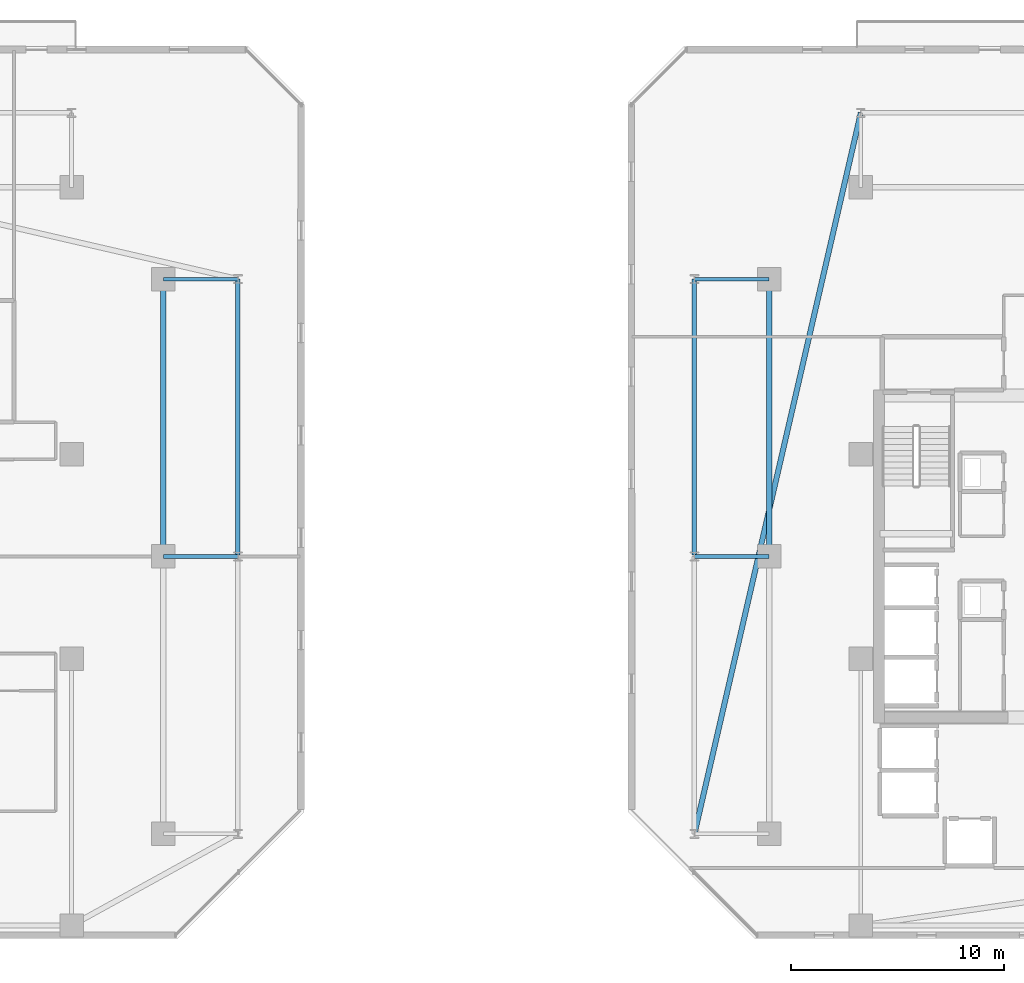
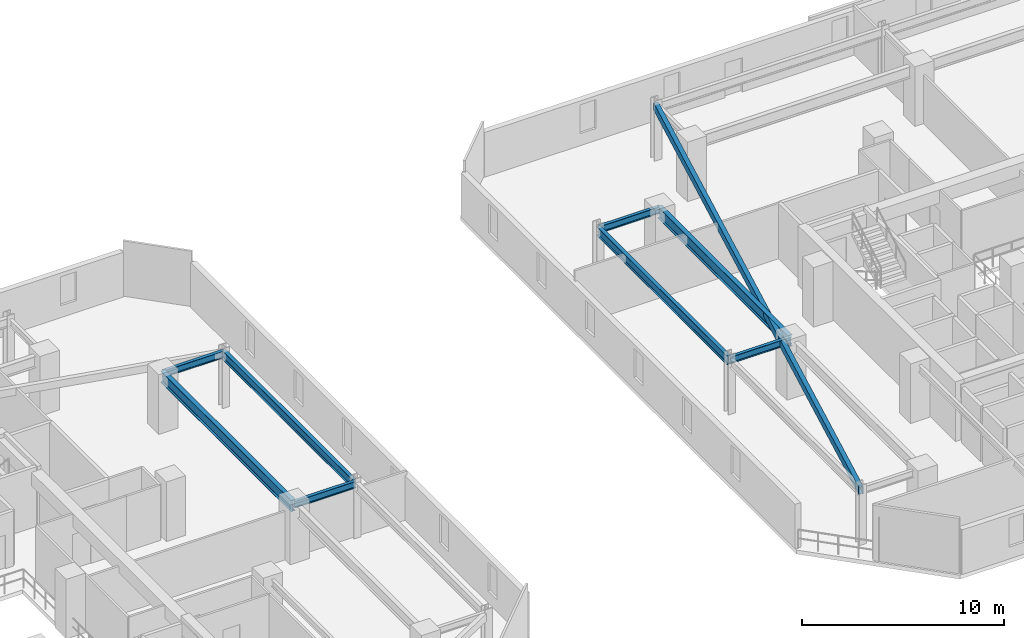
# One storey, part 7 of 32: 9 beams.
"""IFC4 building model written with IfcOpenShell, lengths in metres."""

from ifc_helpers import new_model, si_unit, direction, frame, origin, origin_2d, place, context, subcontext, project, spatial, hollow_rectangle, i_section, extrude, material, material_profile, profile_set, type_object, element, save


model = new_model("IFC4")

# Units and contexts
model_context = context("Model", 3, precision=1e-05, world=origin(), true_north=direction((0.0, 1.0)))
body_context = subcontext(model_context, "Body", "Model", "MODEL_VIEW")
ifc_project = project(units=[si_unit("LENGTHUNIT", "METRE"), si_unit("AREAUNIT", "SQUARE_METRE"), si_unit("VOLUMEUNIT", "CUBIC_METRE"), si_unit("PLANEANGLEUNIT", "RADIAN"), si_unit("MASSUNIT", "GRAM", prefix="KILO")], contexts=[model_context])

# Site, building, storey
site_placement = place(None, origin())
site = spatial("IfcSite", under=ifc_project, at=site_placement, CompositionType="ELEMENT")
building_placement = place(site_placement, origin())
building = spatial("IfcBuilding", under=site, at=building_placement, Name="Thornwick Lancets Civic Towers", CompositionType="ELEMENT")
storey_placement = place(building_placement, frame((0.0, 0.0, 178.5)))
storey = spatial("IfcBuildingStorey", under=building, at=storey_placement, Name="L47", CompositionType="ELEMENT", Elevation=178.5)

# Beams
ifc_material = material(Name="Steel S355JR", Category="steel")
ifc_material_profile_1 = material_profile(ifc_material, i_section(OverallWidth=0.210693359375, OverallDepth=0.53955078125, WebThickness=0.01171875, FlangeThickness=0.018798828125, FilletRadius=0.0126953125, at=origin_2d()), Name="UKB 533x210x109")
ifc_profile_set_1 = profile_set([ifc_material_profile_1], Name="Steel S355JR")
beam_type_1 = type_object("IfcBeamType", Name="BM_EDGE_533_109", PredefinedType="SPANDREL", material=ifc_profile_set_1)
for number, where, z_axis, x_axis, name in (
    (1, (46.300048828125, 27.080078125, 3.09033203125), (0.0, 1.0, 0.0), (-1.0, 0.0, 0.0), "BM-EDGE-L47-A-S1-2"),
    (2, (67.699951171875, 27.080078125, 3.09033203125), (0.0, 1.0, 0.0), (-1.0, 0.0, 0.0), "BM-EDGE-L47-B-S2-2"),
):
    element("IfcBeam", number, at=place(storey_placement, frame(where, z_axis=z_axis, x_axis=x_axis)), inside=storey, type_object=beam_type_1, Name=name, PredefinedType="SPANDREL", context=body_context, shape_type="SweptSolid", body=[
        extrude(i_section(OverallWidth=0.210693359375, OverallDepth=0.53955078125, WebThickness=0.01171875, FlangeThickness=0.018798828125, FilletRadius=0.0126953125, at=origin_2d()), origin(), (0.0, 0.0, 1.0), 12.919921875),
    ])
ifc_material_profile_2 = material_profile(ifc_material, i_section(OverallWidth=0.255859375, OverallDepth=0.69287109375, WebThickness=0.014404296875, FlangeThickness=0.023681640625, FilletRadius=0.01513671875, at=origin_2d()), Name="UKB 686x254x170")
ifc_profile_set_2 = profile_set([ifc_material_profile_2], Name="Steel S355JR")
beam_type_2 = type_object("IfcBeamType", Name="BM_GIRD_686_170", PredefinedType="BEAM", material=ifc_profile_set_2)
for number, where, z_axis, x_axis, name in (
    (3, (42.800048828125, 27.080078125, 3.013671875), (0.0, 1.0, 0.0), (-1.0, 0.0, 0.0), "BM-SPINE-L47-A-4-5"),
    (4, (71.199951171875, 27.080078125, 3.013671875), (0.0, 1.0, 0.0), (-1.0, 0.0, 0.0), "BM-SPINE-L47-B-7-8"),
):
    element("IfcBeam", number, at=place(storey_placement, frame(where, z_axis=z_axis, x_axis=x_axis)), inside=storey, type_object=beam_type_2, Name=name, PredefinedType="BEAM", context=body_context, shape_type="SweptSolid", body=[
        extrude(i_section(OverallWidth=0.255859375, OverallDepth=0.69287109375, WebThickness=0.014404296875, FlangeThickness=0.023681640625, FilletRadius=0.01513671875, at=origin_2d()), origin(), (0.0, 0.0, 1.0), 12.919921875),
    ])
ifc_material_profile_3 = material_profile(ifc_material, i_section(OverallWidth=0.179443359375, OverallDepth=0.412841796875, WebThickness=0.009521484375, FlangeThickness=0.01611328125, FilletRadius=0.01025390625, at=origin_2d()), Name="UKB 406x178x74")
ifc_profile_set_3 = profile_set([ifc_material_profile_3], Name="Steel S355JR")
beam_type_3 = type_object("IfcBeamType", Name="BM_JOIST_406_74", PredefinedType="JOIST", material=ifc_profile_set_3)
for number, where, z_axis, x_axis, name in (
    (5, (42.800048828125, 27.0, 3.153564453125), (1.0, 0.0, 0.0), (0.0, 1.0, 0.0), "BM-RAD-L47-A05"),
    (6, (42.800048828125, 40.0, 3.153564453125), (1.0, 0.0, 0.0), (0.0, 1.0, 0.0), "BM-RAD-L47-A06"),
    (7, (71.199951171875, 27.0, 3.153564453125), (-1.0, 0.0, 0.0), (0.0, -1.0, 0.0), "BM-RAD-L47-B08"),
    (8, (71.199951171875, 40.0, 3.153564453125), (-1.0, 0.0, 0.0), (0.0, -1.0, 0.0), "BM-RAD-L47-B09"),
):
    element("IfcBeam", number, at=place(storey_placement, frame(where, z_axis=z_axis, x_axis=x_axis)), inside=storey, type_object=beam_type_3, Name=name, PredefinedType="JOIST", context=body_context, shape_type="SweptSolid", body=[
        extrude(i_section(OverallWidth=0.179443359375, OverallDepth=0.412841796875, WebThickness=0.009521484375, FlangeThickness=0.01611328125, FilletRadius=0.01025390625, at=origin_2d()), origin(), (0.0, 0.0, 1.0), 3.5),
    ])
ifc_material_profile_4 = material_profile(ifc_material, hollow_rectangle(XDim=0.25, YDim=0.449951171875, WallThickness=0.01611328125, at=origin_2d()), Name="RHS 450x250x16")
ifc_profile_set_4 = profile_set([ifc_material_profile_4], Name="Steel S355JR")
beam_type_4 = type_object("IfcBeamType", Name="BM_RING_RHS450", PredefinedType="BEAM", material=ifc_profile_set_4)
beam_placement = place(storey_placement, frame((75.5, 47.800048828125, 3.135009765625), z_axis=(-0.224860534737, -0.974390958454, 0.0), x_axis=(0.974390958454, -0.224860534737, 0.0)))
element("IfcBeam", 9, at=beam_placement, inside=storey, type_object=beam_type_4, Name="BM-CHAMF-L47-B-C1", PredefinedType="BEAM", context=body_context, shape_type="SweptSolid", body=[
    extrude(hollow_rectangle(XDim=0.25, YDim=0.449951171875, WallThickness=0.01611328125, at=origin_2d()), origin(), (0.0, 0.0, 1.0), 34.6884765625),
])

save(model, "model.ifc")
